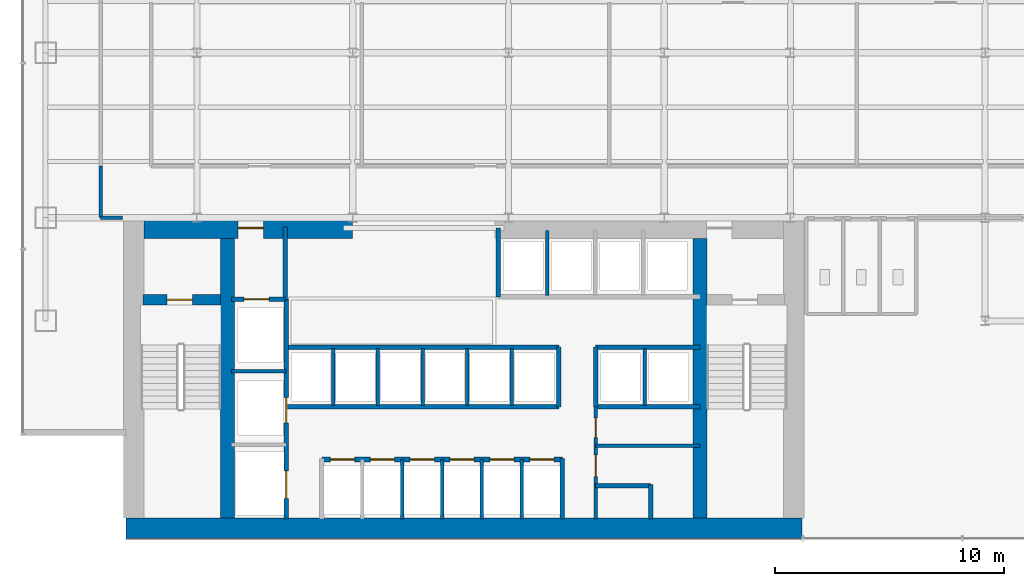
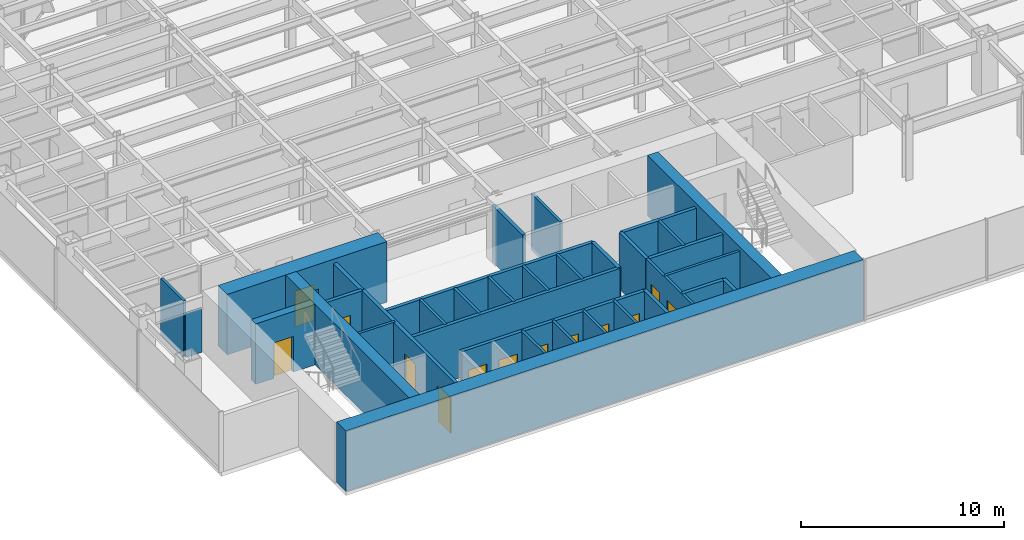
# One storey, part 17 of 22: 35 walls, 13 doors, 13 openings.
"""IFC4 building model written with IfcOpenShell, lengths in metres."""

from ifc_helpers import new_model, si_unit, derived_unit, direction, frame, frame_2d, origin, place, context, subcontext, project, spatial, rectangle, extrude, source, transform, mapped, material, layer, layer_set, type_object, element, fill, save


model = new_model("IFC4")

# Units and contexts
model_context = context("Model", 3, precision=1e-05, world=origin(), true_north=direction((0.0, 1.0)))
body_context = subcontext(model_context, "Body", "Model", "MODEL_VIEW")
ifc_project = project(units=[si_unit("LENGTHUNIT", "METRE"), si_unit("AREAUNIT", "SQUARE_METRE"), si_unit("VOLUMEUNIT", "CUBIC_METRE"), si_unit("PLANEANGLEUNIT", "RADIAN"), si_unit("MASSUNIT", "GRAM", prefix="KILO"), derived_unit("THERMALTRANSMITTANCEUNIT", [(si_unit("POWERUNIT", "WATT"), 1), (si_unit("LENGTHUNIT", "METRE"), -2), (si_unit("THERMODYNAMICTEMPERATUREUNIT", "KELVIN"), -1)])], contexts=[model_context])

# Site, building, storey
site_placement = place(None, origin())
site = spatial("IfcSite", under=ifc_project, at=site_placement, CompositionType="ELEMENT")
building_placement = place(site_placement, origin())
building = spatial("IfcBuilding", under=site, at=building_placement, Name="Skarnbrae Concourse Arena and Tower", CompositionType="ELEMENT")
storey_placement = place(building_placement, frame((0.0, 0.0, 69.0)))
storey = spatial("IfcBuildingStorey", under=building, at=storey_placement, Name="L16", CompositionType="ELEMENT", Elevation=69.0)

# Wall
ifc_material_1 = material(Name="Concrete 70 MPa (C70/85)", Category="concrete")
ifc_layer_1 = layer(ifc_material_1, 0.89990234375)
ifc_layer_set_1 = layer_set([ifc_layer_1], Name="Concrete 70 MPa (C70/85)")
wall_type_1 = type_object("IfcWallType", Name="WALL-CORE-900-C70", PredefinedType="SHEAR", material=ifc_layer_set_1)
shared_shape_1 = source(origin(), body_context, "Body", "SweptSolid", [
    extrude(rectangle(XDim=29.5, YDim=0.89990234375, at=frame_2d((14.75, 0.0))), origin(), (0.0, 0.0, 1.0), 3.64990234375),
])
wall_1_placement = place(storey_placement, frame((4.5, 0.449951171875, 0.0), z_axis=(0.0, 0.0, 1.0), x_axis=(1.0, 0.0, 0.0)))
element("IfcWall", 1, at=wall_1_placement, inside=storey, type_object=wall_type_1, Name="L16 Rear core shear wall CW-S", PredefinedType="SHEAR", context=body_context, shape_type="MappedRepresentation", body=[
    mapped(shared_shape_1, transform((0.0, 0.0, 0.0))),
])

# Wall, opening, door
shared_shape_2 = source(origin(), body_context, "Body", "SweptSolid", [
    extrude(rectangle(XDim=9.099853515625, YDim=0.89990234375, at=frame_2d((4.5498046875, 0.0))), origin(), (0.0, 0.0, 1.0), 3.64990234375),
])
wall_2_placement = place(storey_placement, frame((5.300048828125, 13.550048828125, 0.0), z_axis=(0.0, 0.0, 1.0), x_axis=(1.0, 0.0, 0.0)))
wall_2 = element("IfcWall", 2, at=wall_2_placement, inside=storey, type_object=wall_type_1, Name="L16 Rear core shear wall CW-NW", PredefinedType="SHEAR", context=body_context, shape_type="MappedRepresentation", body=[
    mapped(shared_shape_2, transform((0.0, 0.0, 0.0))),
])
opening_1_placement = place(wall_2_placement, frame((4.10009765625, 0.0, 0.0)))
opening_1 = element("IfcOpeningElement", 3, at=opening_1_placement, cuts=wall_2, Name="Opening DT-03", PredefinedType="OPENING", context=body_context, shape_type="SweptSolid", body=[
    extrude(rectangle(XDim=1.10009765625, YDim=2.14990234375, at=frame_2d((0.550048828125, 1.074951171875))), frame((0.0, 0.4599609375, 0.0), z_axis=(0.0, -1.0, 0.0), x_axis=(1.0, 0.0, 0.0)), (0.0, 0.0, 1.0), 0.919921875),
])
ifc_material_2 = material(Name="Steel CSA G40.21 350W", Category="steel")
door_type_1 = type_object("IfcDoorType", Name="DOOR-FIRE-1100-90M", OperationType="NOTDEFINED", PredefinedType="DOOR", material=ifc_material_2)
shared_shape_3 = source(origin(), body_context, "Body", "SweptSolid", [
    extrude(rectangle(XDim=1.10009765625, YDim=2.14990234375, at=frame_2d((0.550048828125, 1.074951171875))), frame((0.0, 0.02490234375, 0.0), z_axis=(0.0, -1.0, 0.0), x_axis=(1.0, 0.0, 0.0)), (0.0, 0.0, 1.0), 0.050048828125),
])
door_1_placement = place(opening_1_placement, origin())
door_1 = element("IfcDoor", 4, at=door_1_placement, inside=storey, type_object=door_type_1, Name="D-0604 Firefighting Lobby Exit Door", OperationType="SINGLE_SWING_RIGHT", OverallHeight=2.14990234375, OverallWidth=1.10009765625, PredefinedType="DOOR", context=body_context, shape_type="MappedRepresentation", body=[
    mapped(shared_shape_3, transform((0.0, 0.0, 0.0))),
])
fill(opening_1, door_1)

# Walls
ifc_layer_2 = layer(ifc_material_1, 0.60009765625)
ifc_layer_set_2 = layer_set([ifc_layer_2], Name="Concrete 70 MPa (C70/85)")
wall_type_2 = type_object("IfcWallType", Name="WALL-CORE-600-C70", PredefinedType="SHEAR", material=ifc_layer_set_2)
shared_shape_4 = source(origin(), body_context, "Body", "SweptSolid", [
    extrude(rectangle(XDim=12.2001953125, YDim=0.60009765625, at=frame_2d((6.10009765625, 0.0))), origin(), (0.0, 0.0, 1.0), 3.64990234375),
])
for number, where, z_axis, x_axis, name in (
    (5, (8.93994140625, 0.89990234375, 0.0), (0.0, 0.0, 1.0), (0.0, 1.0, 0.0), "L16 Rear core shear wall CW-WEB-W"),
    (6, (29.56005859375, 0.89990234375, 0.0), (0.0, 0.0, 1.0), (0.0, 1.0, 0.0), "L16 Rear core shear wall CW-WEB-E"),
):
    element("IfcWall", number, at=place(storey_placement, frame(where, z_axis=z_axis, x_axis=x_axis)), inside=storey, type_object=wall_type_2, Name=name, PredefinedType="SHEAR", context=body_context, shape_type="MappedRepresentation", body=[
        mapped(shared_shape_4, transform((0.0, 0.0, 0.0))),
    ])

# Wall, opening, door
ifc_material_3 = material(Name="Concrete 50 MPa (C50/60)", Category="concrete")
ifc_layer_3 = layer(ifc_material_3, 0.449951171875)
ifc_layer_set_3 = layer_set([ifc_layer_3], Name="Concrete 50 MPa (C50/60)")
wall_type_3 = type_object("IfcWallType", Name="WALL-CORE-450-C50", PredefinedType="SHEAR", material=ifc_layer_set_3)
shared_shape_5 = source(origin(), body_context, "Body", "SweptSolid", [
    extrude(rectangle(XDim=3.389892578125, YDim=0.449951171875, at=frame_2d((1.69482421875, 0.0))), origin(), (0.0, 0.0, 1.0), 3.64990234375),
])
wall_3_placement = place(storey_placement, frame((5.25, 10.419921875, 0.0), z_axis=(0.0, 0.0, 1.0), x_axis=(1.0, 0.0, 0.0)))
wall_3 = element("IfcWall", 7, at=wall_3_placement, inside=storey, type_object=wall_type_3, Name="L16 Rear core shear wall CW-ST1-N", PredefinedType="SHEAR", context=body_context, shape_type="MappedRepresentation", body=[
    mapped(shared_shape_5, transform((0.0, 0.0, 0.0))),
])
opening_2_placement = place(wall_3_placement, frame((1.050048828125, 0.0, 0.0)))
opening_2 = element("IfcOpeningElement", 8, at=opening_2_placement, cuts=wall_3, Name="Opening DT-03", PredefinedType="OPENING", context=body_context, shape_type="SweptSolid", body=[
    extrude(rectangle(XDim=1.10009765625, YDim=2.14990234375, at=frame_2d((0.550048828125, 1.074951171875))), frame((0.0, 0.23486328125, 0.0), z_axis=(0.0, -1.0, 0.0), x_axis=(1.0, 0.0, 0.0)), (0.0, 0.0, 1.0), 0.469970703125),
])
door_2_placement = place(opening_2_placement, frame((1.10009765625, 0.0, 0.0), z_axis=(0.0, 0.0, 1.0), x_axis=(-1.0, 0.0, 0.0)))
door_2 = element("IfcDoor", 9, at=door_2_placement, inside=storey, type_object=door_type_1, Name="D-0602 Stair ST-1 Door", OperationType="SINGLE_SWING_LEFT", OverallHeight=2.14990234375, OverallWidth=1.10009765625, PredefinedType="DOOR", context=body_context, shape_type="MappedRepresentation", body=[
    mapped(shared_shape_3, transform((0.0, 0.0, 0.0))),
])
fill(opening_2, door_2)

# Wall
ifc_material_4 = material(Name="Gypsum board on cold-formed steel studs", Category="steel")
ifc_layer_4 = layer(ifc_material_4, 0.199951171875)
ifc_layer_set_4 = layer_set([ifc_layer_4], Name="Gypsum board on cold-formed steel studs")
wall_type_4 = type_object("IfcWallType", Name="WALL-PART-200-2HR", PredefinedType="PARTITIONING", material=ifc_layer_set_4)
shared_shape_6 = source(origin(), body_context, "Body", "SweptSolid", [
    extrude(rectangle(XDim=3.18017578125, YDim=0.199951171875, at=frame_2d((1.590087890625, 0.0))), origin(), (0.0, 0.0, 1.0), 3.39990234375),
])
wall_4_placement = place(storey_placement, frame((11.449951171875, 10.419921875, 0.0), z_axis=(0.0, 0.0, 1.0), x_axis=(0.0, 1.0, 0.0)))
element("IfcWall", 10, at=wall_4_placement, inside=storey, type_object=wall_type_4, Name="L16 Interior partition wall W-L16-FFL-E", PredefinedType="PARTITIONING", context=body_context, shape_type="MappedRepresentation", body=[
    mapped(shared_shape_6, transform((0.0, 0.0, 0.0))),
])

# Wall, opening, door
shared_shape_7 = source(origin(), body_context, "Body", "SweptSolid", [
    extrude(rectangle(XDim=2.349853515625, YDim=0.199951171875, at=frame_2d((1.1748046875, 0.0))), origin(), (0.0, 0.0, 1.0), 3.39990234375),
])
wall_5_placement = place(storey_placement, frame((9.10009765625, 10.449951171875, 0.0), z_axis=(0.0, 0.0, 1.0), x_axis=(1.0, 0.0, 0.0)))
wall_5 = element("IfcWall", 11, at=wall_5_placement, inside=storey, type_object=wall_type_4, Name="L16 Interior partition wall W-L16-FL1-N", PredefinedType="PARTITIONING", context=body_context, shape_type="MappedRepresentation", body=[
    mapped(shared_shape_7, transform((0.0, 0.0, 0.0))),
])
opening_3_placement = place(wall_5_placement, frame((0.550048828125, 0.0, 0.0)))
opening_3 = element("IfcOpeningElement", 12, at=opening_3_placement, cuts=wall_5, Name="Opening LD-01", PredefinedType="OPENING", context=body_context, shape_type="SweptSolid", body=[
    extrude(rectangle(XDim=1.10009765625, YDim=2.14990234375, at=frame_2d((0.550048828125, 1.074951171875))), frame((0.0, 0.10986328125, 0.0), z_axis=(0.0, -1.0, 0.0), x_axis=(1.0, 0.0, 0.0)), (0.0, 0.0, 1.0), 0.219970703125),
])
door_type_2 = type_object("IfcDoorType", Name="DOOR-LIFT-SLIDE-1100", OperationType="SLIDING_TO_LEFT", PredefinedType="DOOR", material=ifc_material_2)
door_3_placement = place(opening_3_placement, origin())
door_3 = element("IfcDoor", 13, at=door_3_placement, inside=storey, type_object=door_type_2, Name="D-0606 Firefighting Lift Landing Door FL-01", OperationType="SLIDING_TO_LEFT", OverallHeight=2.14990234375, OverallWidth=1.10009765625, PredefinedType="DOOR", context=body_context, shape_type="MappedRepresentation", body=[
    mapped(shared_shape_3, transform((0.0, 0.0, 0.0))),
])
fill(opening_3, door_3)

# Wall, openings, doors
shared_shape_8 = source(origin(), body_context, "Body", "SweptSolid", [
    extrude(rectangle(XDim=9.599853515625, YDim=0.199951171875, at=frame_2d((4.7998046875, 0.0))), origin(), (0.0, 0.0, 1.0), 3.39990234375),
])
wall_6_placement = place(storey_placement, frame((11.5, 0.85009765625, 0.0), z_axis=(0.0, 0.0, 1.0), x_axis=(0.0, 1.0, 0.0)))
wall_6 = element("IfcWall", 14, at=wall_6_placement, inside=storey, type_object=wall_type_4, Name="L16 Interior partition wall W-L16-FL-E", PredefinedType="PARTITIONING", context=body_context, shape_type="MappedRepresentation", body=[
    mapped(shared_shape_8, transform((0.0, 0.0, 0.0))),
])
opening_4_placement = place(wall_6_placement, frame((4.199951171875, 0.0, 0.0)))
opening_4 = element("IfcOpeningElement", 15, at=opening_4_placement, cuts=wall_6, Name="Opening LD-01", PredefinedType="OPENING", context=body_context, shape_type="SweptSolid", body=[
    extrude(rectangle(XDim=1.10009765625, YDim=2.14990234375, at=frame_2d((0.550048828125, 1.074951171875))), frame((0.0, 0.10986328125, 0.0), z_axis=(0.0, -1.0, 0.0), x_axis=(1.0, 0.0, 0.0)), (0.0, 0.0, 1.0), 0.219970703125),
])
opening_5_placement = place(wall_6_placement, frame((0.89990234375, 0.0, 0.0)))
opening_5 = element("IfcOpeningElement", 16, at=opening_5_placement, cuts=wall_6, Name="Opening LD-02", PredefinedType="OPENING", context=body_context, shape_type="SweptSolid", body=[
    extrude(rectangle(XDim=1.199951171875, YDim=2.14990234375, at=frame_2d((0.60009765625, 1.074951171875))), frame((0.0, 0.10986328125, 0.0), z_axis=(0.0, -1.0, 0.0), x_axis=(1.0, 0.0, 0.0)), (0.0, 0.0, 1.0), 0.219970703125),
])
door_4_placement = place(opening_4_placement, frame((1.10009765625, 0.0, 0.0), z_axis=(0.0, 0.0, 1.0), x_axis=(-1.0, 0.0, 0.0)))
door_4 = element("IfcDoor", 17, at=door_4_placement, inside=storey, type_object=door_type_2, Name="D-0607 Firefighting Lift Landing Door FL-02", OperationType="SLIDING_TO_LEFT", OverallHeight=2.14990234375, OverallWidth=1.10009765625, PredefinedType="DOOR", context=body_context, shape_type="MappedRepresentation", body=[
    mapped(shared_shape_3, transform((0.0, 0.0, 0.0))),
])
fill(opening_4, door_4)
door_type_3 = type_object("IfcDoorType", Name="DOOR-LIFT-SLIDE-1200", OperationType="SLIDING_TO_LEFT", PredefinedType="DOOR", material=ifc_material_2)
shared_shape_9 = source(origin(), body_context, "Body", "SweptSolid", [
    extrude(rectangle(XDim=1.199951171875, YDim=2.14990234375, at=frame_2d((0.60009765625, 1.074951171875))), frame((0.0, 0.02490234375, 0.0), z_axis=(0.0, -1.0, 0.0), x_axis=(1.0, 0.0, 0.0)), (0.0, 0.0, 1.0), 0.050048828125),
])
door_5_placement = place(opening_5_placement, frame((1.199951171875, 0.0, 0.0), z_axis=(0.0, 0.0, 1.0), x_axis=(-1.0, 0.0, 0.0)))
door_5 = element("IfcDoor", 18, at=door_5_placement, inside=storey, type_object=door_type_3, Name="D-0608 Service Lift Landing Door SV-01", OperationType="SLIDING_TO_LEFT", OverallHeight=2.14990234375, OverallWidth=1.199951171875, PredefinedType="DOOR", context=body_context, shape_type="MappedRepresentation", body=[
    mapped(shared_shape_9, transform((0.0, 0.0, 0.0))),
])
fill(opening_5, door_5)

# Walls
ifc_layer_5 = layer(ifc_material_4, 0.14990234375)
ifc_layer_set_5 = layer_set([ifc_layer_5], Name="Gypsum board on cold-formed steel studs")
wall_type_5 = type_object("IfcWallType", Name="WALL-PART-150", PredefinedType="PARTITIONING", material=ifc_layer_set_5)
shared_shape_10 = source(origin(), body_context, "Body", "SweptSolid", [
    extrude(rectangle(XDim=2.39990234375, YDim=0.14990234375, at=frame_2d((1.199951171875, 0.0))), origin(), (0.0, 0.0, 1.0), 3.39990234375),
])
wall_7_placement = place(storey_placement, frame((9.10009765625, 7.300048828125, 0.0), z_axis=(0.0, 0.0, 1.0), x_axis=(1.0, 0.0, 0.0)))
element("IfcWall", 19, at=wall_7_placement, inside=storey, type_object=wall_type_5, Name="L16 Interior partition wall W-L16-FL-D2", PredefinedType="PARTITIONING", context=body_context, shape_type="MappedRepresentation", body=[
    mapped(shared_shape_10, transform((0.0, 0.0, 0.0))),
])
shared_shape_11 = source(origin(), body_context, "Body", "SweptSolid", [
    extrude(rectangle(XDim=2.64990234375, YDim=0.199951171875, at=frame_2d((1.324951171875, 0.0))), origin(), (0.0, 0.0, 1.0), 3.39990234375),
])
wall_8_placement = place(storey_placement, frame((23.550048828125, 0.85009765625, 0.0), z_axis=(0.0, 0.0, 1.0), x_axis=(0.0, 1.0, 0.0)))
element("IfcWall", 20, at=wall_8_placement, inside=storey, type_object=wall_type_4, Name="L16 Interior partition wall W-L16-B1-E", PredefinedType="PARTITIONING", context=body_context, shape_type="MappedRepresentation", body=[
    mapped(shared_shape_11, transform((0.0, 0.0, 0.0))),
])

# Wall, openings, doors
shared_shape_12 = source(origin(), body_context, "Body", "SweptSolid", [
    extrude(rectangle(XDim=10.5, YDim=0.199951171875, at=frame_2d((5.25, 0.0))), origin(), (0.0, 0.0, 1.0), 3.39990234375),
])
wall_9_placement = place(storey_placement, frame((13.050048828125, 3.449951171875, 0.0), z_axis=(0.0, 0.0, 1.0), x_axis=(1.0, 0.0, 0.0)))
wall_9 = element("IfcWall", 21, at=wall_9_placement, inside=storey, type_object=wall_type_4, Name="L16 Interior partition wall W-L16-B1-N", PredefinedType="PARTITIONING", context=body_context, shape_type="MappedRepresentation", body=[
    mapped(shared_shape_12, transform((0.0, 0.0, 0.0))),
])
opening_6_placement = place(wall_9_placement, frame((0.3798828125, 0.0, 0.0)))
opening_6 = element("IfcOpeningElement", 22, at=opening_6_placement, cuts=wall_9, Name="Opening LD-03", PredefinedType="OPENING", context=body_context, shape_type="SweptSolid", body=[
    extrude(rectangle(XDim=1.050048828125, YDim=2.14990234375, at=frame_2d((0.52490234375, 1.074951171875))), frame((0.0, 0.10986328125, 0.0), z_axis=(0.0, -1.0, 0.0), x_axis=(1.0, 0.0, 0.0)), (0.0, 0.0, 1.0), 0.219970703125),
])
opening_7_placement = place(wall_9_placement, frame((2.1201171875, 0.0, 0.0)))
opening_7 = element("IfcOpeningElement", 23, at=opening_7_placement, cuts=wall_9, Name="Opening LD-03", PredefinedType="OPENING", context=body_context, shape_type="SweptSolid", body=[
    extrude(rectangle(XDim=1.050048828125, YDim=2.14990234375, at=frame_2d((0.52490234375, 1.074951171875))), frame((0.0, 0.10986328125, 0.0), z_axis=(0.0, -1.0, 0.0), x_axis=(1.0, 0.0, 0.0)), (0.0, 0.0, 1.0), 0.219970703125),
])
opening_8_placement = place(wall_9_placement, frame((3.860107421875, 0.0, 0.0)))
opening_8 = element("IfcOpeningElement", 24, at=opening_8_placement, cuts=wall_9, Name="Opening LD-03", PredefinedType="OPENING", context=body_context, shape_type="SweptSolid", body=[
    extrude(rectangle(XDim=1.050048828125, YDim=2.14990234375, at=frame_2d((0.52490234375, 1.074951171875))), frame((0.0, 0.10986328125, 0.0), z_axis=(0.0, -1.0, 0.0), x_axis=(1.0, 0.0, 0.0)), (0.0, 0.0, 1.0), 0.219970703125),
])
opening_9_placement = place(wall_9_placement, frame((5.60009765625, 0.0, 0.0)))
opening_9 = element("IfcOpeningElement", 25, at=opening_9_placement, cuts=wall_9, Name="Opening LD-03", PredefinedType="OPENING", context=body_context, shape_type="SweptSolid", body=[
    extrude(rectangle(XDim=1.050048828125, YDim=2.14990234375, at=frame_2d((0.52490234375, 1.074951171875))), frame((0.0, 0.10986328125, 0.0), z_axis=(0.0, -1.0, 0.0), x_axis=(1.0, 0.0, 0.0)), (0.0, 0.0, 1.0), 0.219970703125),
])
opening_10_placement = place(wall_9_placement, frame((7.340087890625, 0.0, 0.0)))
opening_10 = element("IfcOpeningElement", 26, at=opening_10_placement, cuts=wall_9, Name="Opening LD-03", PredefinedType="OPENING", context=body_context, shape_type="SweptSolid", body=[
    extrude(rectangle(XDim=1.050048828125, YDim=2.14990234375, at=frame_2d((0.52490234375, 1.074951171875))), frame((0.0, 0.10986328125, 0.0), z_axis=(0.0, -1.0, 0.0), x_axis=(1.0, 0.0, 0.0)), (0.0, 0.0, 1.0), 0.219970703125),
])
opening_11_placement = place(wall_9_placement, frame((9.080078125, 0.0, 0.0)))
opening_11 = element("IfcOpeningElement", 27, at=opening_11_placement, cuts=wall_9, Name="Opening LD-03", PredefinedType="OPENING", context=body_context, shape_type="SweptSolid", body=[
    extrude(rectangle(XDim=1.050048828125, YDim=2.14990234375, at=frame_2d((0.52490234375, 1.074951171875))), frame((0.0, 0.10986328125, 0.0), z_axis=(0.0, -1.0, 0.0), x_axis=(1.0, 0.0, 0.0)), (0.0, 0.0, 1.0), 0.219970703125),
])
ifc_material_5 = material(Name="Bronze anodised aluminium 6063-T6", Category="aluminium")
door_type_4 = type_object("IfcDoorType", Name="DOOR-LIFT-SLIDE-1050", OperationType="SLIDING_TO_LEFT", PredefinedType="DOOR", material=ifc_material_5)
shared_shape_13 = source(origin(), body_context, "Body", "SweptSolid", [
    extrude(rectangle(XDim=1.050048828125, YDim=2.14990234375, at=frame_2d((0.52490234375, 1.074951171875))), frame((0.0, 0.02490234375, 0.0), z_axis=(0.0, -1.0, 0.0), x_axis=(1.0, 0.0, 0.0)), (0.0, 0.0, 1.0), 0.050048828125),
])
door_6_placement = place(opening_6_placement, origin())
door_6 = element("IfcDoor", 28, at=door_6_placement, inside=storey, type_object=door_type_4, Name="D-0609 Passenger Lift Landing Door PL-1A", OperationType="SLIDING_TO_LEFT", OverallHeight=2.14990234375, OverallWidth=1.050048828125, PredefinedType="DOOR", context=body_context, shape_type="MappedRepresentation", body=[
    mapped(shared_shape_13, transform((0.0, 0.0, 0.0))),
])
fill(opening_6, door_6)
door_7_placement = place(opening_7_placement, origin())
door_7 = element("IfcDoor", 29, at=door_7_placement, inside=storey, type_object=door_type_4, Name="D-0610 Passenger Lift Landing Door PL-1B", OperationType="SLIDING_TO_LEFT", OverallHeight=2.14990234375, OverallWidth=1.050048828125, PredefinedType="DOOR", context=body_context, shape_type="MappedRepresentation", body=[
    mapped(shared_shape_13, transform((0.0, 0.0, 0.0))),
])
fill(opening_7, door_7)
door_8_placement = place(opening_8_placement, origin())
door_8 = element("IfcDoor", 30, at=door_8_placement, inside=storey, type_object=door_type_4, Name="D-0611 Passenger Lift Landing Door PL-1C", OperationType="SLIDING_TO_LEFT", OverallHeight=2.14990234375, OverallWidth=1.050048828125, PredefinedType="DOOR", context=body_context, shape_type="MappedRepresentation", body=[
    mapped(shared_shape_13, transform((0.0, 0.0, 0.0))),
])
fill(opening_8, door_8)
door_9_placement = place(opening_9_placement, origin())
door_9 = element("IfcDoor", 31, at=door_9_placement, inside=storey, type_object=door_type_4, Name="D-0612 Passenger Lift Landing Door PL-1D", OperationType="SLIDING_TO_LEFT", OverallHeight=2.14990234375, OverallWidth=1.050048828125, PredefinedType="DOOR", context=body_context, shape_type="MappedRepresentation", body=[
    mapped(shared_shape_13, transform((0.0, 0.0, 0.0))),
])
fill(opening_9, door_9)
door_10_placement = place(opening_10_placement, origin())
door_10 = element("IfcDoor", 32, at=door_10_placement, inside=storey, type_object=door_type_4, Name="D-0613 Passenger Lift Landing Door PL-1E", OperationType="SLIDING_TO_LEFT", OverallHeight=2.14990234375, OverallWidth=1.050048828125, PredefinedType="DOOR", context=body_context, shape_type="MappedRepresentation", body=[
    mapped(shared_shape_13, transform((0.0, 0.0, 0.0))),
])
fill(opening_10, door_10)
door_11_placement = place(opening_11_placement, origin())
door_11 = element("IfcDoor", 33, at=door_11_placement, inside=storey, type_object=door_type_4, Name="D-0614 Passenger Lift Landing Door PL-1F", OperationType="SLIDING_TO_LEFT", OverallHeight=2.14990234375, OverallWidth=1.050048828125, PredefinedType="DOOR", context=body_context, shape_type="MappedRepresentation", body=[
    mapped(shared_shape_13, transform((0.0, 0.0, 0.0))),
])
fill(opening_11, door_11)

# Walls
shared_shape_14 = source(origin(), body_context, "Body", "SweptSolid", [
    extrude(rectangle(XDim=2.599853515625, YDim=0.14990234375, at=frame_2d((1.2998046875, 0.0))), origin(), (0.0, 0.0, 1.0), 3.39990234375),
])
for number, where, z_axis, x_axis, name in (
    (34, (16.56005859375, 0.85009765625, 0.0), (0.0, 0.0, 1.0), (0.0, 1.0, 0.0), "L16 Interior partition wall W-L16-B1-P2"),
    (35, (18.300048828125, 0.85009765625, 0.0), (0.0, 0.0, 1.0), (0.0, 1.0, 0.0), "L16 Interior partition wall W-L16-B1-P3"),
    (36, (20.0400390625, 0.85009765625, 0.0), (0.0, 0.0, 1.0), (0.0, 1.0, 0.0), "L16 Interior partition wall W-L16-B1-P4"),
    (37, (21.780029296875, 0.85009765625, 0.0), (0.0, 0.0, 1.0), (0.0, 1.0, 0.0), "L16 Interior partition wall W-L16-B1-P5"),
):
    element("IfcWall", number, at=place(storey_placement, frame(where, z_axis=z_axis, x_axis=x_axis)), inside=storey, type_object=wall_type_5, Name=name, PredefinedType="PARTITIONING", context=body_context, shape_type="MappedRepresentation", body=[
        mapped(shared_shape_14, transform((0.0, 0.0, 0.0))),
    ])
shared_shape_15 = source(origin(), body_context, "Body", "SweptSolid", [
    extrude(rectangle(XDim=11.849853515625, YDim=0.199951171875, at=frame_2d((5.9248046875, 0.0))), origin(), (0.0, 0.0, 1.0), 3.39990234375),
])
for number, where, z_axis, x_axis, name in (
    (38, (11.550048828125, 5.75, 0.0), (0.0, 0.0, 1.0), (1.0, 0.0, 0.0), "L16 Interior partition wall W-L16-B2-S"),
    (39, (11.550048828125, 8.35009765625, 0.0), (0.0, 0.0, 1.0), (1.0, 0.0, 0.0), "L16 Interior partition wall W-L16-B2-N"),
):
    element("IfcWall", number, at=place(storey_placement, frame(where, z_axis=z_axis, x_axis=x_axis)), inside=storey, type_object=wall_type_4, Name=name, PredefinedType="PARTITIONING", context=body_context, shape_type="MappedRepresentation", body=[
        mapped(shared_shape_15, transform((0.0, 0.0, 0.0))),
    ])
shared_shape_16 = source(origin(), body_context, "Body", "SweptSolid", [
    extrude(rectangle(XDim=2.60009765625, YDim=0.199951171875, at=frame_2d((1.300048828125, 0.0))), origin(), (0.0, 0.0, 1.0), 3.39990234375),
])
for number, where, z_axis, x_axis, name in (
    (40, (23.39990234375, 5.75, 0.0), (0.0, 0.0, 1.0), (0.0, 1.0, 0.0), "L16 Interior partition wall W-L16-B2-E"),
    (41, (25.0, 5.75, 0.0), (0.0, 0.0, 1.0), (0.0, 1.0, 0.0), "L16 Interior partition wall W-L16-B3S-W"),
):
    element("IfcWall", number, at=place(storey_placement, frame(where, z_axis=z_axis, x_axis=x_axis)), inside=storey, type_object=wall_type_4, Name=name, PredefinedType="PARTITIONING", context=body_context, shape_type="MappedRepresentation", body=[
        mapped(shared_shape_16, transform((0.0, 0.0, 0.0))),
    ])
shared_shape_17 = source(origin(), body_context, "Body", "SweptSolid", [
    extrude(rectangle(XDim=2.5, YDim=0.14990234375, at=frame_2d((1.25, 0.0))), origin(), (0.0, 0.0, 1.0), 3.39990234375),
])
for number, where, z_axis, x_axis, name in (
    (42, (13.550048828125, 5.800048828125, 0.0), (0.0, 0.0, 1.0), (0.0, 1.0, 0.0), "L16 Interior partition wall W-L16-B2-P1"),
    (43, (15.5, 5.800048828125, 0.0), (0.0, 0.0, 1.0), (0.0, 1.0, 0.0), "L16 Interior partition wall W-L16-B2-P2"),
    (44, (17.449951171875, 5.800048828125, 0.0), (0.0, 0.0, 1.0), (0.0, 1.0, 0.0), "L16 Interior partition wall W-L16-B2-P3"),
    (45, (19.39990234375, 5.800048828125, 0.0), (0.0, 0.0, 1.0), (0.0, 1.0, 0.0), "L16 Interior partition wall W-L16-B2-P4"),
    (46, (21.35009765625, 5.800048828125, 0.0), (0.0, 0.0, 1.0), (0.0, 1.0, 0.0), "L16 Interior partition wall W-L16-B2-P5"),
    (47, (27.139892578125, 5.800048828125, 0.0), (0.0, 0.0, 1.0), (0.0, 1.0, 0.0), "L16 Interior partition wall W-L16-B3S-P1"),
):
    element("IfcWall", number, at=place(storey_placement, frame(where, z_axis=z_axis, x_axis=x_axis)), inside=storey, type_object=wall_type_5, Name=name, PredefinedType="PARTITIONING", context=body_context, shape_type="MappedRepresentation", body=[
        mapped(shared_shape_17, transform((0.0, 0.0, 0.0))),
    ])
shared_shape_18 = source(origin(), body_context, "Body", "SweptSolid", [
    extrude(rectangle(XDim=3.0, YDim=0.199951171875, at=frame_2d((1.5, 0.0))), origin(), (0.0, 0.0, 1.0), 3.39990234375),
])
wall_10_placement = place(storey_placement, frame((20.75, 10.550048828125, 0.0), z_axis=(0.0, 0.0, 1.0), x_axis=(0.0, 1.0, 0.0)))
element("IfcWall", 48, at=wall_10_placement, inside=storey, type_object=wall_type_4, Name="L16 Interior partition wall W-L16-B3N-W", PredefinedType="PARTITIONING", context=body_context, shape_type="MappedRepresentation", body=[
    mapped(shared_shape_18, transform((0.0, 0.0, 0.0))),
])
shared_shape_19 = source(origin(), body_context, "Body", "SweptSolid", [
    extrude(rectangle(XDim=2.849853515625, YDim=0.14990234375, at=frame_2d((1.4248046875, 0.0))), origin(), (0.0, 0.0, 1.0), 3.39990234375),
])
wall_11_placement = place(storey_placement, frame((22.889892578125, 10.60009765625, 0.0), z_axis=(0.0, 0.0, 1.0), x_axis=(0.0, 1.0, 0.0)))
element("IfcWall", 49, at=wall_11_placement, inside=storey, type_object=wall_type_5, Name="L16 Interior partition wall W-L16-B3N-P1", PredefinedType="PARTITIONING", context=body_context, shape_type="MappedRepresentation", body=[
    mapped(shared_shape_19, transform((0.0, 0.0, 0.0))),
])
shared_shape_20 = source(origin(), body_context, "Body", "SweptSolid", [
    extrude(rectangle(XDim=4.550048828125, YDim=0.199951171875, at=frame_2d((2.27490234375, 0.0))), origin(), (0.0, 0.0, 1.0), 3.39990234375),
])
for number, where, z_axis, x_axis, name in (
    (50, (25.0, 8.35009765625, 0.0), (0.0, 0.0, 1.0), (1.0, 0.0, 0.0), "L16 Interior partition wall W-L16-B3S-N"),
    (51, (25.0, 5.75, 0.0), (0.0, 0.0, 1.0), (1.0, 0.0, 0.0), "L16 Interior partition wall W-L16-B3S-S"),
):
    element("IfcWall", number, at=place(storey_placement, frame(where, z_axis=z_axis, x_axis=x_axis)), inside=storey, type_object=wall_type_4, Name=name, PredefinedType="PARTITIONING", context=body_context, shape_type="MappedRepresentation", body=[
        mapped(shared_shape_20, transform((0.0, 0.0, 0.0))),
    ])

# Wall, openings, doors
ifc_layer_6 = layer(ifc_material_4, 0.14990234375)
ifc_layer_set_6 = layer_set([ifc_layer_6], Name="Gypsum board on cold-formed steel studs")
wall_type_6 = type_object("IfcWallType", Name="WALL-PART-150-1HR", PredefinedType="PARTITIONING", material=ifc_layer_set_6)
shared_shape_21 = source(origin(), body_context, "Body", "SweptSolid", [
    extrude(rectangle(XDim=4.89990234375, YDim=0.14990234375, at=frame_2d((2.449951171875, 0.0))), origin(), (0.0, 0.0, 1.0), 3.39990234375),
])
wall_12_placement = place(storey_placement, frame((25.0, 0.85009765625, 0.0), z_axis=(0.0, 0.0, 1.0), x_axis=(0.0, 1.0, 0.0)))
wall_12 = element("IfcWall", 52, at=wall_12_placement, inside=storey, type_object=wall_type_6, Name="L16 Interior partition wall W-L16-CSV-W", PredefinedType="PARTITIONING", context=body_context, shape_type="MappedRepresentation", body=[
    mapped(shared_shape_21, transform((0.0, 0.0, 0.0))),
])
opening_12_placement = place(wall_12_placement, frame((1.85009765625, 0.0, 0.0)))
opening_12 = element("IfcOpeningElement", 53, at=opening_12_placement, cuts=wall_12, Name="Opening DT-04", PredefinedType="OPENING", context=body_context, shape_type="SweptSolid", body=[
    extrude(rectangle(XDim=0.949951171875, YDim=2.14990234375, at=frame_2d((0.47509765625, 1.074951171875))), frame((0.0, 0.0849609375, 0.0), z_axis=(0.0, -1.0, 0.0), x_axis=(1.0, 0.0, 0.0)), (0.0, 0.0, 1.0), 0.169921875),
])
opening_13_placement = place(wall_12_placement, frame((3.550048828125, 0.0, 0.0)))
opening_13 = element("IfcOpeningElement", 54, at=opening_13_placement, cuts=wall_12, Name="Opening DT-08", PredefinedType="OPENING", context=body_context, shape_type="SweptSolid", body=[
    extrude(rectangle(XDim=0.85009765625, YDim=2.14990234375, at=frame_2d((0.425048828125, 1.074951171875))), frame((0.0, 0.0849609375, 0.0), z_axis=(0.0, -1.0, 0.0), x_axis=(1.0, 0.0, 0.0)), (0.0, 0.0, 1.0), 0.169921875),
])
door_type_5 = type_object("IfcDoorType", Name="DOOR-INT-950-45M", OperationType="NOTDEFINED", PredefinedType="DOOR", material=ifc_material_2)
shared_shape_22 = source(origin(), body_context, "Body", "SweptSolid", [
    extrude(rectangle(XDim=0.949951171875, YDim=2.14990234375, at=frame_2d((0.47509765625, 1.074951171875))), frame((0.0, 0.02490234375, 0.0), z_axis=(0.0, -1.0, 0.0), x_axis=(1.0, 0.0, 0.0)), (0.0, 0.0, 1.0), 0.050048828125),
])
door_12_placement = place(opening_12_placement, origin())
door_12 = element("IfcDoor", 55, at=door_12_placement, inside=storey, type_object=door_type_5, Name="D-0615 Core Staff WC Door", OperationType="SINGLE_SWING_RIGHT", OverallHeight=2.14990234375, OverallWidth=0.949951171875, PredefinedType="DOOR", context=body_context, shape_type="MappedRepresentation", body=[
    mapped(shared_shape_22, transform((0.0, 0.0, 0.0))),
])
fill(opening_12, door_12)
door_type_6 = type_object("IfcDoorType", Name="DOOR-INT-850-45M", OperationType="NOTDEFINED", PredefinedType="DOOR", material=ifc_material_2)
shared_shape_23 = source(origin(), body_context, "Body", "SweptSolid", [
    extrude(rectangle(XDim=0.85009765625, YDim=2.14990234375, at=frame_2d((0.425048828125, 1.074951171875))), frame((0.0, 0.02490234375, 0.0), z_axis=(0.0, -1.0, 0.0), x_axis=(1.0, 0.0, 0.0)), (0.0, 0.0, 1.0), 0.050048828125),
])
door_13_placement = place(opening_13_placement, origin())
door_13 = element("IfcDoor", 56, at=door_13_placement, inside=storey, type_object=door_type_6, Name="D-0616 IT Patch Room Door", OperationType="SINGLE_SWING_LEFT", OverallHeight=2.14990234375, OverallWidth=0.85009765625, PredefinedType="DOOR", context=body_context, shape_type="MappedRepresentation", body=[
    mapped(shared_shape_23, transform((0.0, 0.0, 0.0))),
])
fill(opening_13, door_13)

# Walls
shared_shape_24 = source(origin(), body_context, "Body", "SweptSolid", [
    extrude(rectangle(XDim=2.39990234375, YDim=0.199951171875, at=frame_2d((1.199951171875, 0.0))), origin(), (0.0, 0.0, 1.0), 3.39990234375),
])
wall_13_placement = place(storey_placement, frame((25.0, 2.300048828125, 0.0), z_axis=(0.0, 0.0, 1.0), x_axis=(1.0, 0.0, 0.0)))
element("IfcWall", 57, at=wall_13_placement, inside=storey, type_object=wall_type_4, Name="L16 Interior partition wall W-L16-MEP-N", PredefinedType="PARTITIONING", context=body_context, shape_type="MappedRepresentation", body=[
    mapped(shared_shape_24, transform((0.0, 0.0, 0.0))),
])
shared_shape_25 = source(origin(), body_context, "Body", "SweptSolid", [
    extrude(rectangle(XDim=1.5, YDim=0.199951171875, at=frame_2d((0.75, 0.0))), origin(), (0.0, 0.0, 1.0), 3.39990234375),
])
wall_14_placement = place(storey_placement, frame((27.39990234375, 0.85009765625, 0.0), z_axis=(0.0, 0.0, 1.0), x_axis=(0.0, 1.0, 0.0)))
element("IfcWall", 58, at=wall_14_placement, inside=storey, type_object=wall_type_4, Name="L16 Interior partition wall W-L16-MEP-E", PredefinedType="PARTITIONING", context=body_context, shape_type="MappedRepresentation", body=[
    mapped(shared_shape_25, transform((0.0, 0.0, 0.0))),
])
shared_shape_26 = source(origin(), body_context, "Body", "SweptSolid", [
    extrude(rectangle(XDim=4.550048828125, YDim=0.14990234375, at=frame_2d((2.27490234375, 0.0))), origin(), (0.0, 0.0, 1.0), 3.39990234375),
])
wall_15_placement = place(storey_placement, frame((25.0, 4.050048828125, 0.0), z_axis=(0.0, 0.0, 1.0), x_axis=(1.0, 0.0, 0.0)))
element("IfcWall", 59, at=wall_15_placement, inside=storey, type_object=wall_type_5, Name="L16 Interior partition wall W-L16-CSV-H2", PredefinedType="PARTITIONING", context=body_context, shape_type="MappedRepresentation", body=[
    mapped(shared_shape_26, transform((0.0, 0.0, 0.0))),
])
shared_shape_27 = source(origin(), body_context, "Body", "SweptSolid", [
    extrude(rectangle(XDim=0.9501953125, YDim=0.14990234375, at=frame_2d((0.47509765625, 0.0))), origin(), (0.0, 0.0, 1.0), 2.625),
])
wall_16_placement = place(storey_placement, frame((4.35009765625, 14.0, 0.0), z_axis=(0.0, 0.0, 1.0), x_axis=(-1.0, 0.0, 0.0)))
element("IfcWall", 60, at=wall_16_placement, inside=storey, type_object=wall_type_6, Name="L16 Interior partition wall W-L16-COR-01", PredefinedType="PARTITIONING", context=body_context, shape_type="MappedRepresentation", body=[
    mapped(shared_shape_27, transform((0.0, 0.0, 0.0))),
])
shared_shape_28 = source(origin(), body_context, "Body", "SweptSolid", [
    extrude(rectangle(XDim=2.25, YDim=0.14990234375, at=frame_2d((1.125, 0.0))), origin(), (0.0, 0.0, 1.0), 3.39990234375),
])
wall_17_placement = place(storey_placement, frame((3.39990234375, 14.0, 0.0), z_axis=(0.0, 0.0, 1.0), x_axis=(0.0, 1.0, 0.0)))
element("IfcWall", 61, at=wall_17_placement, inside=storey, type_object=wall_type_6, Name="L16 Interior partition wall W-L16-COR-02", PredefinedType="PARTITIONING", context=body_context, shape_type="MappedRepresentation", body=[
    mapped(shared_shape_28, transform((0.0, 0.0, 0.0))),
])

save(model, "model.ifc")
